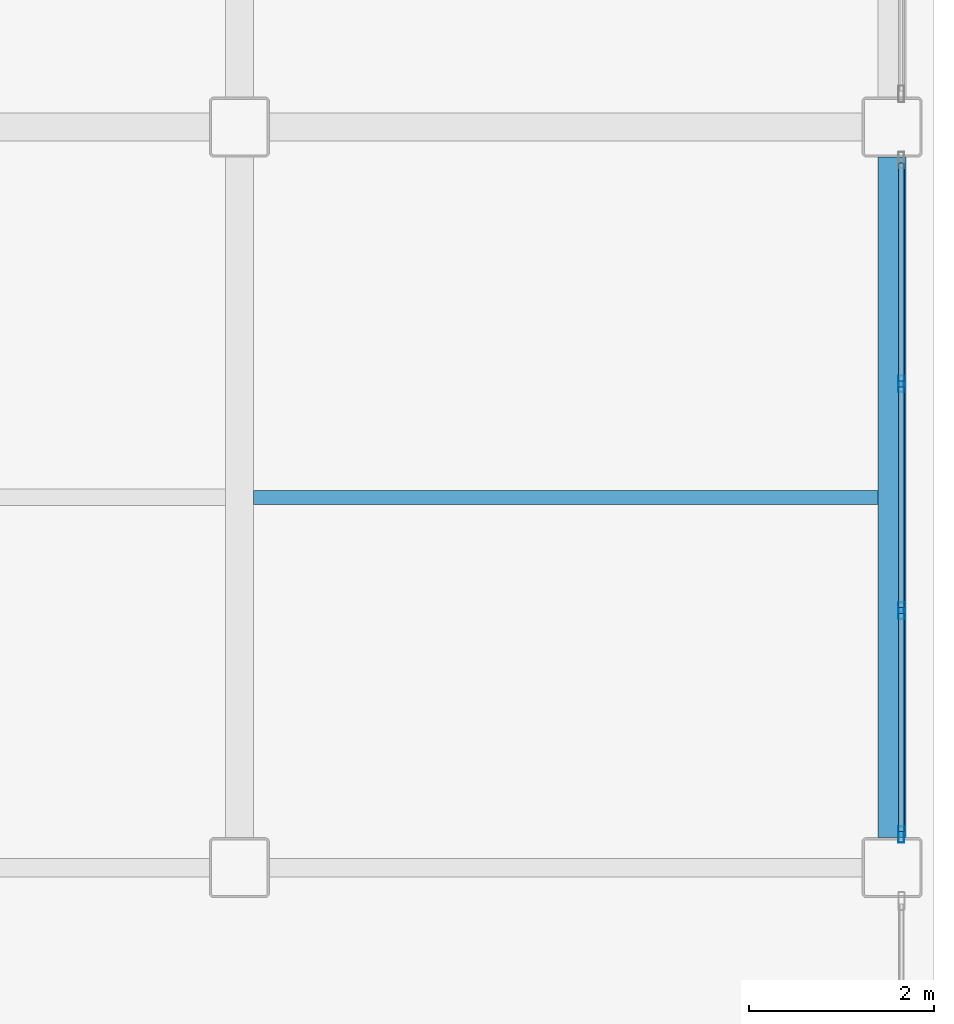
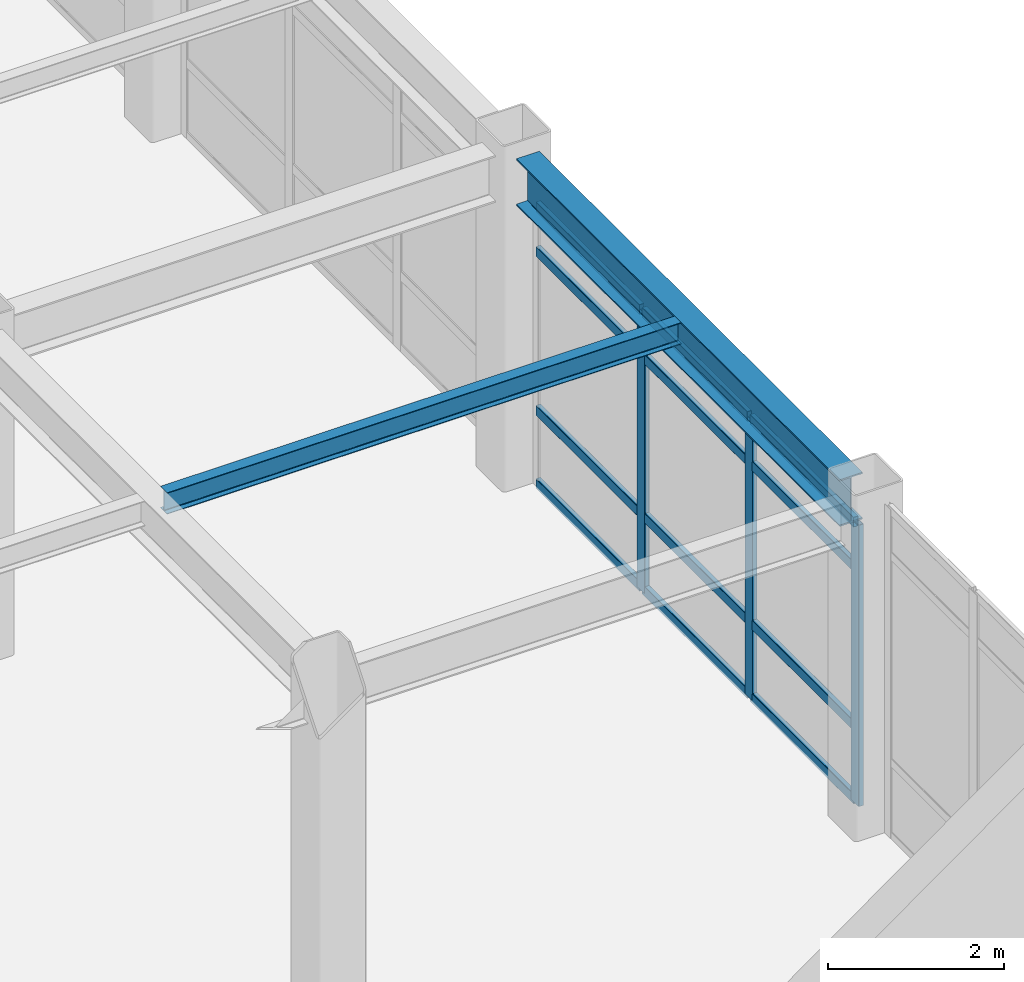
# One storey, part 33 of 61: 15 members, 2 beams, 1 element without a shape of its own.
"""IFC4 building model written with IfcOpenShell, lengths in metres."""

from ifc_helpers import new_model, si_unit, direction, frame, origin, origin_2d, place, context, subcontext, project, spatial, hollow_rectangle, i_section, extrude, material, layer, layer_set, material_profile, profile_set, type_object, element, aggregate, save


model = new_model("IFC4")

# Units and contexts
model_context = context("Model", 3, precision=1e-05, world=origin(), true_north=direction((0.0, 1.0)))
body_context = subcontext(model_context, "Body", "Model", "MODEL_VIEW")
ifc_project = project(units=[si_unit("LENGTHUNIT", "METRE"), si_unit("AREAUNIT", "SQUARE_METRE"), si_unit("VOLUMEUNIT", "CUBIC_METRE"), si_unit("PLANEANGLEUNIT", "RADIAN"), si_unit("MASSUNIT", "GRAM", prefix="KILO")], contexts=[model_context])

# Site, building, storey
site_placement = place(None, origin())
site = spatial("IfcSite", under=ifc_project, at=site_placement, CompositionType="ELEMENT")
building_placement = place(site_placement, origin())
building = spatial("IfcBuilding", under=site, at=building_placement, Name="Kazehara Bluff Congress Hotel", CompositionType="ELEMENT")
storey_placement = place(building_placement, frame((0.0, 0.0, 19.800048828125)))
storey = spatial("IfcBuildingStorey", under=building, at=storey_placement, Name="L04", CompositionType="ELEMENT", Elevation=19.800048828125)

# Curtain wall, members
ifc_material_1 = material(Name="Anodised aluminium", Category="aluminium")
ifc_layer = layer(ifc_material_1, 0.159912109375)
ifc_layer_set = layer_set([ifc_layer], Name="Anodised aluminium")
curtain_wall_type = type_object("IfcCurtainWallType", Name="TP-CW-162", PredefinedType="NOTDEFINED", material=ifc_layer_set)
curtain_wall_placement = place(storey_placement, origin())
curtain_wall = element("IfcCurtainWall", 1, at=curtain_wall_placement, inside=storey, type_object=curtain_wall_type, Name="L04 curtain wall CW-162 CW-ENC-V5-L04-16765-8490", PredefinedType="NOTDEFINED")
ifc_material_2 = material(Name="Anodised aluminium", Category="aluminium")
ifc_material_profile_1 = material_profile(ifc_material_2, hollow_rectangle(XDim=0.06494140625, YDim=0.179931640625, WallThickness=0.00390625, InnerFilletRadius=0.00390625, OuterFilletRadius=0.008056640625, at=origin_2d()))
ifc_profile_set_1 = profile_set([ifc_material_profile_1], Name="Anodised aluminium")
member_type_1 = type_object("IfcMemberType", Name="TP-CWM-02", PredefinedType="MULLION", material=ifc_profile_set_1)
member_1_placement = place(storey_placement, frame((167.64990234375, 86.125, 0.0), z_axis=(0.0, 0.0, 1.0), x_axis=(1.0, 0.0, 0.0)))
member_1 = element("IfcMember", 2, at=member_1_placement, type_object=member_type_1, Name="CW-162 mullion 2", PredefinedType="MULLION", context=body_context, shape_type="SweptSolid", body=[
    extrude(hollow_rectangle(XDim=0.06494140625, YDim=0.179931640625, WallThickness=0.00390625, InnerFilletRadius=0.00390625, OuterFilletRadius=0.008056640625, at=origin_2d()), origin(), (0.0, 0.0, 1.0), 3.905029296875),
])
member_2_placement = place(storey_placement, frame((167.64990234375, 83.675048828125, 0.0), z_axis=(0.0, 0.0, 1.0), x_axis=(1.0, 0.0, 0.0)))
member_2 = element("IfcMember", 3, at=member_2_placement, type_object=member_type_1, Name="CW-162 mullion 3", PredefinedType="MULLION", context=body_context, shape_type="SweptSolid", body=[
    extrude(hollow_rectangle(XDim=0.06494140625, YDim=0.179931640625, WallThickness=0.00390625, InnerFilletRadius=0.00390625, OuterFilletRadius=0.008056640625, at=origin_2d()), origin(), (0.0, 0.0, 1.0), 3.905029296875),
])
member_3_placement = place(storey_placement, frame((167.64990234375, 81.257568359375, 0.0), z_axis=(0.0, 0.0, 1.0), x_axis=(1.0, 0.0, 0.0)))
member_3 = element("IfcMember", 4, at=member_3_placement, type_object=member_type_1, Name="CW-162 mullion 4", PredefinedType="MULLION", context=body_context, shape_type="SweptSolid", body=[
    extrude(hollow_rectangle(XDim=0.06494140625, YDim=0.179931640625, WallThickness=0.00390625, InnerFilletRadius=0.00390625, OuterFilletRadius=0.008056640625, at=origin_2d()), origin(), (0.0, 0.0, 1.0), 3.905029296875),
])
ifc_material_3 = material(Name="Anodised aluminium", Category="aluminium")
ifc_material_profile_2 = material_profile(ifc_material_3, hollow_rectangle(XDim=0.06494140625, YDim=0.139892578125, WallThickness=0.00390625, InnerFilletRadius=0.00390625, OuterFilletRadius=0.008056640625, at=origin_2d()))
ifc_profile_set_2 = profile_set([ifc_material_profile_2], Name="Anodised aluminium")
member_type_2 = type_object("IfcMemberType", Name="TP-CWT-02", PredefinedType="USERDEFINED", material=ifc_profile_set_2)
member_4_placement = place(storey_placement, frame((167.64990234375, 88.510009765625, 0.032470703125), z_axis=(0.0, -1.0, 0.0), x_axis=(1.0, 0.0, 0.0)))
member_4 = element("IfcMember", 5, at=member_4_placement, type_object=member_type_2, Name="CW-162 transom 1.1", ObjectType="TRANSOM", PredefinedType="USERDEFINED", context=body_context, shape_type="SweptSolid", body=[
    extrude(hollow_rectangle(XDim=0.06494140625, YDim=0.139892578125, WallThickness=0.00390625, InnerFilletRadius=0.00390625, OuterFilletRadius=0.008056640625, at=origin_2d()), origin(), (0.0, 0.0, 1.0), 2.3525390625),
])
member_5_placement = place(storey_placement, frame((167.64990234375, 88.510009765625, 1.050048828125), z_axis=(0.0, -1.0, 0.0), x_axis=(1.0, 0.0, 0.0)))
member_5 = element("IfcMember", 6, at=member_5_placement, type_object=member_type_2, Name="CW-162 transom 1.2", ObjectType="TRANSOM", PredefinedType="USERDEFINED", context=body_context, shape_type="SweptSolid", body=[
    extrude(hollow_rectangle(XDim=0.06494140625, YDim=0.139892578125, WallThickness=0.00390625, InnerFilletRadius=0.00390625, OuterFilletRadius=0.008056640625, at=origin_2d()), origin(), (0.0, 0.0, 1.0), 2.3525390625),
])
member_6_placement = place(storey_placement, frame((167.64990234375, 88.510009765625, 3.2548828125), z_axis=(0.0, -1.0, 0.0), x_axis=(1.0, 0.0, 0.0)))
member_6 = element("IfcMember", 7, at=member_6_placement, type_object=member_type_2, Name="CW-162 transom 1.3", ObjectType="TRANSOM", PredefinedType="USERDEFINED", context=body_context, shape_type="SweptSolid", body=[
    extrude(hollow_rectangle(XDim=0.06494140625, YDim=0.139892578125, WallThickness=0.00390625, InnerFilletRadius=0.00390625, OuterFilletRadius=0.008056640625, at=origin_2d()), origin(), (0.0, 0.0, 1.0), 2.3525390625),
])
member_7_placement = place(storey_placement, frame((167.64990234375, 88.510009765625, 3.87255859375), z_axis=(0.0, -1.0, 0.0), x_axis=(1.0, 0.0, 0.0)))
member_7 = element("IfcMember", 8, at=member_7_placement, type_object=member_type_2, Name="CW-162 transom 1.4", ObjectType="TRANSOM", PredefinedType="USERDEFINED", context=body_context, shape_type="SweptSolid", body=[
    extrude(hollow_rectangle(XDim=0.06494140625, YDim=0.139892578125, WallThickness=0.00390625, InnerFilletRadius=0.00390625, OuterFilletRadius=0.008056640625, at=origin_2d()), origin(), (0.0, 0.0, 1.0), 2.3525390625),
])
member_8_placement = place(storey_placement, frame((167.64990234375, 86.092529296875, 0.032470703125), z_axis=(0.0, -1.0, 0.0), x_axis=(1.0, 0.0, 0.0)))
member_8 = element("IfcMember", 9, at=member_8_placement, type_object=member_type_2, Name="CW-162 transom 2.1", ObjectType="TRANSOM", PredefinedType="USERDEFINED", context=body_context, shape_type="SweptSolid", body=[
    extrude(hollow_rectangle(XDim=0.06494140625, YDim=0.139892578125, WallThickness=0.00390625, InnerFilletRadius=0.00390625, OuterFilletRadius=0.008056640625, at=origin_2d()), origin(), (0.0, 0.0, 1.0), 2.385009765625),
])
member_9_placement = place(storey_placement, frame((167.64990234375, 86.092529296875, 1.050048828125), z_axis=(0.0, -1.0, 0.0), x_axis=(1.0, 0.0, 0.0)))
member_9 = element("IfcMember", 10, at=member_9_placement, type_object=member_type_2, Name="CW-162 transom 2.2", ObjectType="TRANSOM", PredefinedType="USERDEFINED", context=body_context, shape_type="SweptSolid", body=[
    extrude(hollow_rectangle(XDim=0.06494140625, YDim=0.139892578125, WallThickness=0.00390625, InnerFilletRadius=0.00390625, OuterFilletRadius=0.008056640625, at=origin_2d()), origin(), (0.0, 0.0, 1.0), 2.385009765625),
])
member_10_placement = place(storey_placement, frame((167.64990234375, 86.092529296875, 3.2548828125), z_axis=(0.0, -1.0, 0.0), x_axis=(1.0, 0.0, 0.0)))
member_10 = element("IfcMember", 11, at=member_10_placement, type_object=member_type_2, Name="CW-162 transom 2.3", ObjectType="TRANSOM", PredefinedType="USERDEFINED", context=body_context, shape_type="SweptSolid", body=[
    extrude(hollow_rectangle(XDim=0.06494140625, YDim=0.139892578125, WallThickness=0.00390625, InnerFilletRadius=0.00390625, OuterFilletRadius=0.008056640625, at=origin_2d()), origin(), (0.0, 0.0, 1.0), 2.385009765625),
])
member_11_placement = place(storey_placement, frame((167.64990234375, 86.092529296875, 3.87255859375), z_axis=(0.0, -1.0, 0.0), x_axis=(1.0, 0.0, 0.0)))
member_11 = element("IfcMember", 12, at=member_11_placement, type_object=member_type_2, Name="CW-162 transom 2.4", ObjectType="TRANSOM", PredefinedType="USERDEFINED", context=body_context, shape_type="SweptSolid", body=[
    extrude(hollow_rectangle(XDim=0.06494140625, YDim=0.139892578125, WallThickness=0.00390625, InnerFilletRadius=0.00390625, OuterFilletRadius=0.008056640625, at=origin_2d()), origin(), (0.0, 0.0, 1.0), 2.385009765625),
])
member_12_placement = place(storey_placement, frame((167.64990234375, 83.642578125, 0.032470703125), z_axis=(0.0, -1.0, 0.0), x_axis=(1.0, 0.0, 0.0)))
member_12 = element("IfcMember", 13, at=member_12_placement, type_object=member_type_2, Name="CW-162 transom 3.1", ObjectType="TRANSOM", PredefinedType="USERDEFINED", context=body_context, shape_type="SweptSolid", body=[
    extrude(hollow_rectangle(XDim=0.06494140625, YDim=0.139892578125, WallThickness=0.00390625, InnerFilletRadius=0.00390625, OuterFilletRadius=0.008056640625, at=origin_2d()), origin(), (0.0, 0.0, 1.0), 2.3525390625),
])
member_13_placement = place(storey_placement, frame((167.64990234375, 83.642578125, 1.050048828125), z_axis=(0.0, -1.0, 0.0), x_axis=(1.0, 0.0, 0.0)))
member_13 = element("IfcMember", 14, at=member_13_placement, type_object=member_type_2, Name="CW-162 transom 3.2", ObjectType="TRANSOM", PredefinedType="USERDEFINED", context=body_context, shape_type="SweptSolid", body=[
    extrude(hollow_rectangle(XDim=0.06494140625, YDim=0.139892578125, WallThickness=0.00390625, InnerFilletRadius=0.00390625, OuterFilletRadius=0.008056640625, at=origin_2d()), origin(), (0.0, 0.0, 1.0), 2.3525390625),
])
member_14_placement = place(storey_placement, frame((167.64990234375, 83.642578125, 3.2548828125), z_axis=(0.0, -1.0, 0.0), x_axis=(1.0, 0.0, 0.0)))
member_14 = element("IfcMember", 15, at=member_14_placement, type_object=member_type_2, Name="CW-162 transom 3.3", ObjectType="TRANSOM", PredefinedType="USERDEFINED", context=body_context, shape_type="SweptSolid", body=[
    extrude(hollow_rectangle(XDim=0.06494140625, YDim=0.139892578125, WallThickness=0.00390625, InnerFilletRadius=0.00390625, OuterFilletRadius=0.008056640625, at=origin_2d()), origin(), (0.0, 0.0, 1.0), 2.3525390625),
])
member_15_placement = place(storey_placement, frame((167.64990234375, 83.642578125, 3.87255859375), z_axis=(0.0, -1.0, 0.0), x_axis=(1.0, 0.0, 0.0)))
member_15 = element("IfcMember", 16, at=member_15_placement, type_object=member_type_2, Name="CW-162 transom 3.4", ObjectType="TRANSOM", PredefinedType="USERDEFINED", context=body_context, shape_type="SweptSolid", body=[
    extrude(hollow_rectangle(XDim=0.06494140625, YDim=0.139892578125, WallThickness=0.00390625, InnerFilletRadius=0.00390625, OuterFilletRadius=0.008056640625, at=origin_2d()), origin(), (0.0, 0.0, 1.0), 2.3525390625),
])
aggregate(curtain_wall, [member_1, member_2, member_3, member_4, member_5, member_6, member_7, member_8, member_9, member_10, member_11, member_12, member_13, member_14, member_15])

# Beams
ifc_material_4 = material(Name="Steel SN490B", Category="steel")
ifc_material_profile_3 = material_profile(ifc_material_4, i_section(OverallWidth=0.300048828125, OverallDepth=0.64990234375, WebThickness=0.011962890625, FlangeThickness=0.02001953125, FilletRadius=0.012939453125, at=origin_2d()))
ifc_profile_set_3 = profile_set([ifc_material_profile_3], Name="Steel SN490B")
beam_type_1 = type_object("IfcBeamType", Name="TP-G-03", PredefinedType="BEAM", material=ifc_profile_set_3)
beam_1_placement = place(storey_placement, frame((167.550048828125, 81.22509765625, 4.2548828125), z_axis=(0.0, 1.0, 0.0), x_axis=(-1.0, 0.0, 0.0)))
element("IfcBeam", 17, at=beam_1_placement, inside=storey, type_object=beam_type_1, Name="L04 girder G-03 74", PredefinedType="BEAM", context=body_context, shape_type="SweptSolid", body=[
    extrude(i_section(OverallWidth=0.300048828125, OverallDepth=0.64990234375, WebThickness=0.011962890625, FlangeThickness=0.02001953125, FilletRadius=0.012939453125, at=origin_2d()), origin(), (0.0, 0.0, 1.0), 7.349853515625),
])
ifc_material_5 = material(Name="Steel SN400B", Category="steel")
ifc_material_profile_4 = material_profile(ifc_material_5, i_section(OverallWidth=0.14990234375, OverallDepth=0.300048828125, WebThickness=0.006591796875, FlangeThickness=0.009033203125, FilletRadius=0.012939453125, at=origin_2d()))
ifc_profile_set_4 = profile_set([ifc_material_profile_4], Name="Steel SN400B")
beam_type_2 = type_object("IfcBeamType", Name="TP-J-01", PredefinedType="JOIST", material=ifc_profile_set_4)
beam_2_placement = place(storey_placement, frame((160.64990234375, 84.89990234375, 4.429931640625), z_axis=(1.0, 0.0, 0.0), x_axis=(0.0, 1.0, 0.0)))
element("IfcBeam", 18, at=beam_2_placement, inside=storey, type_object=beam_type_2, Name="L04 secondary joist J-01 36", PredefinedType="JOIST", context=body_context, shape_type="SweptSolid", body=[
    extrude(i_section(OverallWidth=0.14990234375, OverallDepth=0.300048828125, WebThickness=0.006591796875, FlangeThickness=0.009033203125, FilletRadius=0.012939453125, at=origin_2d()), origin(), (0.0, 0.0, 1.0), 6.75),
])

save(model, "model.ifc")
